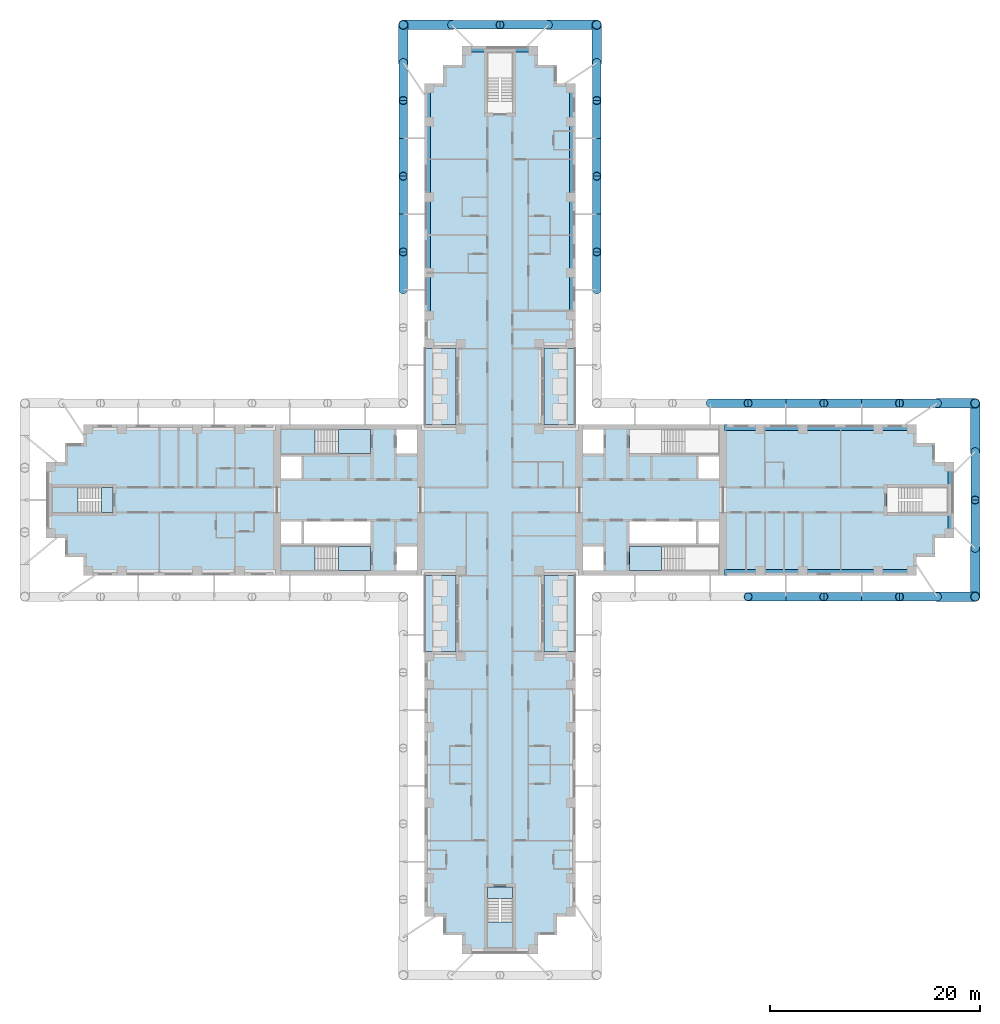
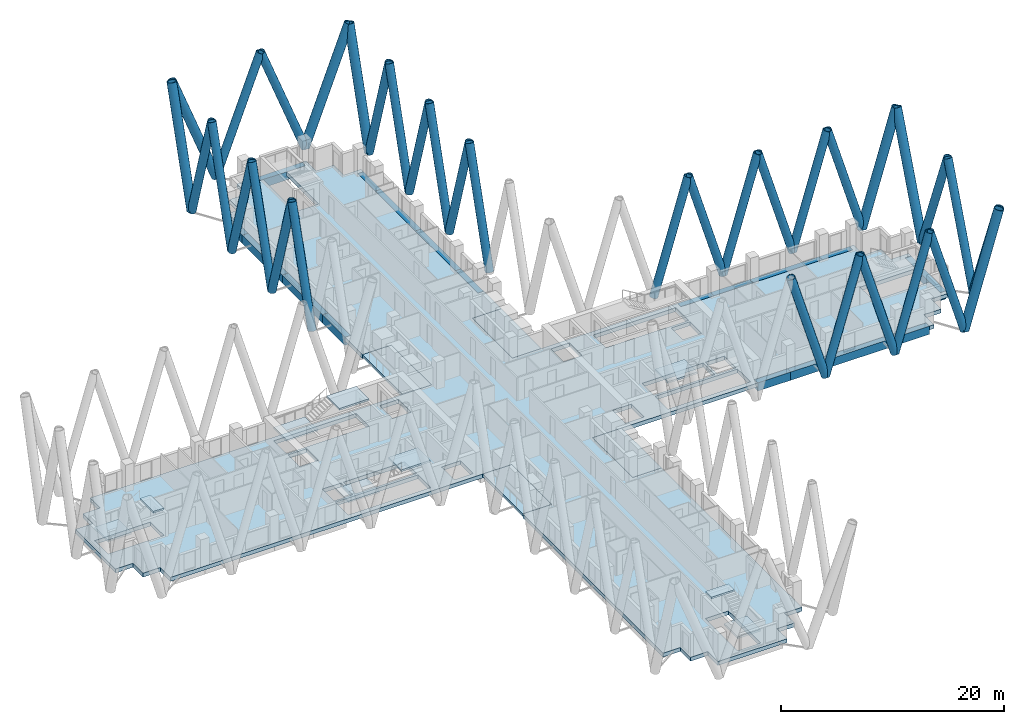
# One storey, part 2 of 16: 35 members, 18 beams, 14 slabs, 5 elements without a shape of their own.
"""IFC4 building model written with IfcOpenShell, lengths in metres."""

from ifc_helpers import new_model, si_unit, direction, frame, origin, origin_2d, place, context, subcontext, project, spatial, polyline, rectangle, hollow_circle, outline, extrude, material, layer, layer_set, material_profile, profile_set, type_object, element, aggregate, save


model = new_model("IFC4")

# Units and contexts
model_context = context("Model", 3, precision=1e-05, world=origin(), true_north=direction((0.0, 1.0)))
body_context = subcontext(model_context, "Body", "Model", "MODEL_VIEW")
ifc_project = project(units=[si_unit("LENGTHUNIT", "METRE"), si_unit("AREAUNIT", "SQUARE_METRE"), si_unit("VOLUMEUNIT", "CUBIC_METRE"), si_unit("PLANEANGLEUNIT", "RADIAN"), si_unit("MASSUNIT", "GRAM", prefix="KILO")], contexts=[model_context])

# Site, building, storey
site_placement = place(None, origin())
site = spatial("IfcSite", under=ifc_project, at=site_placement, CompositionType="ELEMENT")
building_placement = place(site_placement, origin())
building = spatial("IfcBuilding", under=site, at=building_placement, Name="Fustian Cross Tower", CompositionType="ELEMENT")
storey_placement = place(building_placement, frame((0.0, 0.0, 44.699951171875)))
storey = spatial("IfcBuildingStorey", under=building, at=storey_placement, Name="L13", CompositionType="ELEMENT", Elevation=44.699951171875)

# Members
ifc_material_1 = material(Name="Steel S355", Category="steel")
ifc_material_profile_1 = material_profile(ifc_material_1, hollow_circle(Radius=0.406494140625, WallThickness=0.0400390625, at=origin_2d()), Name="CHS 813x40")
ifc_profile_set_1 = profile_set([ifc_material_profile_1], Name="Steel S355")
member_type_1 = type_object("IfcMemberType", Name="DIAGRID DIAGONAL CHS 813x40", PredefinedType="BRACE", material=ifc_profile_set_1)
for number, where, z_axis, x_axis, name in (
    (1, (27.199951171875, -9.199951171875, 0.0), (-0.287337158709, 0.0, 0.957829503213), (0.0, -1.0, 0.0), "Diagrid diagonal E-S 05"),
    (2, (27.199951171875, -9.199951171875, 0.0), (0.287355036744, 0.0, 0.957824139839), (0.0, 1.0, 0.0), "Diagrid diagonal E-S 06"),
    (3, (34.39990234375, -9.199951171875, 0.0), (-0.287337158709, 0.0, 0.957829503213), (0.0, -1.0, 0.0), "Diagrid diagonal E-S 07"),
    (4, (34.39990234375, -9.199951171875, 0.0), (0.287355036744, 0.0, 0.957824139839), (0.0, 1.0, 0.0), "Diagrid diagonal E-S 08"),
    (5, (41.60009765625, -9.199951171875, 0.0), (-0.287355036744, 0.0, 0.957824139839), (0.0, -1.0, 0.0), "Diagrid diagonal E-S 09"),
):
    element("IfcMember", number, at=place(storey_placement, frame(where, z_axis=z_axis, x_axis=x_axis)), inside=storey, type_object=member_type_1, Name=name, PredefinedType="BRACE", context=body_context, shape_type="SweptSolid", body=[
        extrude(hollow_circle(Radius=0.406494140625, WallThickness=0.0400390625, at=origin_2d()), origin(), (0.0, 0.0, 1.0), 12.5283203125),
    ])
for number, where, z_axis, x_axis, name in (
    (6, (45.199951171875, -4.60009765625, 0.0), (0.0, 0.3579426369, 0.933743577589), (-1.0, 0.0, 0.0), "Diagrid diagonal E-end 02"),
    (7, (45.199951171875, 4.60009765625, 0.0), (0.0, -0.3579426369, 0.933743577589), (1.0, 0.0, 0.0), "Diagrid diagonal E-end 03"),
):
    element("IfcMember", number, at=place(storey_placement, frame(where, z_axis=z_axis, x_axis=x_axis)), inside=storey, type_object=member_type_1, Name=name, PredefinedType="BRACE", context=body_context, shape_type="SweptSolid", body=[
        extrude(hollow_circle(Radius=0.406494140625, WallThickness=0.0400390625, at=origin_2d()), origin(), (0.0, 0.0, 1.0), 12.8515625),
    ])
for number, where, z_axis, x_axis, name in (
    (8, (41.60009765625, 9.199951171875, 0.0), (-0.287355036744, 0.0, 0.957824139839), (0.0, -1.0, 0.0), "Diagrid diagonal E-N 02"),
    (9, (34.39990234375, 9.199951171875, 0.0), (0.287355036744, 0.0, 0.957824139839), (0.0, 1.0, 0.0), "Diagrid diagonal E-N 03"),
    (10, (34.39990234375, 9.199951171875, 0.0), (-0.287337158709, 0.0, 0.957829503213), (0.0, -1.0, 0.0), "Diagrid diagonal E-N 04"),
    (11, (27.199951171875, 9.199951171875, 0.0), (0.287355036744, 0.0, 0.957824139839), (0.0, 1.0, 0.0), "Diagrid diagonal E-N 05"),
    (12, (27.199951171875, 9.199951171875, 0.0), (-0.287337158709, 0.0, 0.957829503213), (0.0, -1.0, 0.0), "Diagrid diagonal E-N 06"),
    (13, (20.0, 9.199951171875, 0.0), (0.287355036744, 0.0, 0.957824139839), (0.0, 1.0, 0.0), "Diagrid diagonal E-N 07"),
    (14, (9.199951171875, 20.0, 0.0), (0.0, 0.287355036744, 0.957824139839), (-1.0, 0.0, 0.0), "Diagrid diagonal N-E 04"),
    (15, (9.199951171875, 27.199951171875, 0.0), (0.0, -0.287337158709, 0.957829503213), (1.0, 0.0, 0.0), "Diagrid diagonal N-E 05"),
    (16, (9.199951171875, 27.199951171875, 0.0), (0.0, 0.287355036744, 0.957824139839), (-1.0, 0.0, 0.0), "Diagrid diagonal N-E 06"),
    (17, (9.199951171875, 34.39990234375, 0.0), (0.0, -0.287337158709, 0.957829503213), (1.0, 0.0, 0.0), "Diagrid diagonal N-E 07"),
    (18, (9.199951171875, 34.39990234375, 0.0), (0.0, 0.287355036744, 0.957824139839), (-1.0, 0.0, 0.0), "Diagrid diagonal N-E 08"),
    (19, (9.199951171875, 41.60009765625, 0.0), (0.0, -0.287355036744, 0.957824139839), (1.0, 0.0, 0.0), "Diagrid diagonal N-E 09"),
):
    element("IfcMember", number, at=place(storey_placement, frame(where, z_axis=z_axis, x_axis=x_axis)), inside=storey, type_object=member_type_1, Name=name, PredefinedType="BRACE", context=body_context, shape_type="SweptSolid", body=[
        extrude(hollow_circle(Radius=0.406494140625, WallThickness=0.0400390625, at=origin_2d()), origin(), (0.0, 0.0, 1.0), 12.5283203125),
    ])
for number, where, z_axis, x_axis, name in (
    (20, (4.60009765625, 45.199951171875, 0.0), (-0.3579426369, 0.0, 0.933743577589), (0.0, -1.0, 0.0), "Diagrid diagonal N-end 02"),
    (21, (-4.60009765625, 45.199951171875, 0.0), (0.3579426369, 0.0, 0.933743577589), (0.0, 1.0, 0.0), "Diagrid diagonal N-end 03"),
):
    element("IfcMember", number, at=place(storey_placement, frame(where, z_axis=z_axis, x_axis=x_axis)), inside=storey, type_object=member_type_1, Name=name, PredefinedType="BRACE", context=body_context, shape_type="SweptSolid", body=[
        extrude(hollow_circle(Radius=0.406494140625, WallThickness=0.0400390625, at=origin_2d()), origin(), (0.0, 0.0, 1.0), 12.8515625),
    ])
for number, where, z_axis, x_axis, name in (
    (22, (-9.199951171875, 41.60009765625, 0.0), (0.0, -0.287355036744, 0.957824139839), (1.0, 0.0, 0.0), "Diagrid diagonal N-W 02"),
    (23, (-9.199951171875, 34.39990234375, 0.0), (0.0, 0.287355036744, 0.957824139839), (-1.0, 0.0, 0.0), "Diagrid diagonal N-W 03"),
    (24, (-9.199951171875, 34.39990234375, 0.0), (0.0, -0.287337158709, 0.957829503213), (1.0, 0.0, 0.0), "Diagrid diagonal N-W 04"),
    (25, (-9.199951171875, 27.199951171875, 0.0), (0.0, 0.287355036744, 0.957824139839), (-1.0, 0.0, 0.0), "Diagrid diagonal N-W 05"),
    (26, (-9.199951171875, 27.199951171875, 0.0), (0.0, -0.287337158709, 0.957829503213), (1.0, 0.0, 0.0), "Diagrid diagonal N-W 06"),
    (27, (-9.199951171875, 20.0, 0.0), (0.0, 0.287355036744, 0.957824139839), (-1.0, 0.0, 0.0), "Diagrid diagonal N-W 07"),
):
    element("IfcMember", number, at=place(storey_placement, frame(where, z_axis=z_axis, x_axis=x_axis)), inside=storey, type_object=member_type_1, Name=name, PredefinedType="BRACE", context=body_context, shape_type="SweptSolid", body=[
        extrude(hollow_circle(Radius=0.406494140625, WallThickness=0.0400390625, at=origin_2d()), origin(), (0.0, 0.0, 1.0), 12.5283203125),
    ])
ifc_material_2 = material(Name="Steel S355", Category="steel")
ifc_material_profile_2 = material_profile(ifc_material_2, hollow_circle(Radius=0.457275390625, WallThickness=0.050048828125, at=origin_2d()), Name="CHS 914x50")
ifc_profile_set_2 = profile_set([ifc_material_profile_2], Name="Steel S355")
member_type_2 = type_object("IfcMemberType", Name="DIAGRID DIAGONAL CHS 914x50", PredefinedType="BRACE", material=ifc_profile_set_2)
member_1_placement = place(storey_placement, frame((41.60009765625, -9.199951171875, 0.0), z_axis=(0.287337158709, 0.0, 0.957829503213), x_axis=(0.0, 1.0, 0.0)))
element("IfcMember", 28, at=member_1_placement, inside=storey, type_object=member_type_2, Name="Diagrid diagonal E-S 10", PredefinedType="BRACE", context=body_context, shape_type="SweptSolid", body=[
    extrude(hollow_circle(Radius=0.457275390625, WallThickness=0.050048828125, at=origin_2d()), origin(), (0.0, 0.0, 1.0), 12.5283203125),
])
for number, where, z_axis, x_axis, name in (
    (29, (45.199951171875, -4.60009765625, 0.0), (0.0, -0.357926073629, 0.933749926809), (1.0, 0.0, 0.0), "Diagrid diagonal E-end 01"),
    (30, (45.199951171875, 4.60009765625, 0.0), (0.0, 0.357926073629, 0.933749926809), (-1.0, 0.0, 0.0), "Diagrid diagonal E-end 04"),
):
    element("IfcMember", number, at=place(storey_placement, frame(where, z_axis=z_axis, x_axis=x_axis)), inside=storey, type_object=member_type_2, Name=name, PredefinedType="BRACE", context=body_context, shape_type="SweptSolid", body=[
        extrude(hollow_circle(Radius=0.457275390625, WallThickness=0.050048828125, at=origin_2d()), origin(), (0.0, 0.0, 1.0), 12.851318359375),
    ])
for number, where, z_axis, x_axis, name in (
    (31, (41.60009765625, 9.199951171875, 0.0), (0.287337158709, 0.0, 0.957829503213), (0.0, 1.0, 0.0), "Diagrid diagonal E-N 01"),
    (32, (9.199951171875, 41.60009765625, 0.0), (0.0, 0.287337158709, 0.957829503213), (-1.0, 0.0, 0.0), "Diagrid diagonal N-E 10"),
):
    element("IfcMember", number, at=place(storey_placement, frame(where, z_axis=z_axis, x_axis=x_axis)), inside=storey, type_object=member_type_2, Name=name, PredefinedType="BRACE", context=body_context, shape_type="SweptSolid", body=[
        extrude(hollow_circle(Radius=0.457275390625, WallThickness=0.050048828125, at=origin_2d()), origin(), (0.0, 0.0, 1.0), 12.5283203125),
    ])
for number, where, z_axis, x_axis, name in (
    (33, (4.60009765625, 45.199951171875, 0.0), (0.357926073629, 0.0, 0.933749926809), (0.0, 1.0, 0.0), "Diagrid diagonal N-end 01"),
    (34, (-4.60009765625, 45.199951171875, 0.0), (-0.357926073629, 0.0, 0.933749926809), (0.0, -1.0, 0.0), "Diagrid diagonal N-end 04"),
):
    element("IfcMember", number, at=place(storey_placement, frame(where, z_axis=z_axis, x_axis=x_axis)), inside=storey, type_object=member_type_2, Name=name, PredefinedType="BRACE", context=body_context, shape_type="SweptSolid", body=[
        extrude(hollow_circle(Radius=0.457275390625, WallThickness=0.050048828125, at=origin_2d()), origin(), (0.0, 0.0, 1.0), 12.851318359375),
    ])
member_2_placement = place(storey_placement, frame((-9.199951171875, 41.60009765625, 0.0), z_axis=(0.0, 0.287337158709, 0.957829503213), x_axis=(-1.0, 0.0, 0.0)))
element("IfcMember", 35, at=member_2_placement, inside=storey, type_object=member_type_2, Name="Diagrid diagonal N-W 01", PredefinedType="BRACE", context=body_context, shape_type="SweptSolid", body=[
    extrude(hollow_circle(Radius=0.457275390625, WallThickness=0.050048828125, at=origin_2d()), origin(), (0.0, 0.0, 1.0), 12.5283203125),
])

# Beams
ifc_material_3 = material(Name="Concrete C50/60", Category="concrete")
ifc_material_profile_3 = material_profile(ifc_material_3, rectangle(XDim=0.60009765625, YDim=0.89990234375, at=origin_2d()), Name="RC 600x900")
ifc_profile_set_3 = profile_set([ifc_material_profile_3], Name="Concrete C50/60")
beam_type = type_object("IfcBeamType", Name="EDGE BEAM RC 600x900 C50/60", PredefinedType="SPANDREL", material=ifc_profile_set_3)
beam_1_placement = place(storey_placement, frame((21.35009765625, -6.89990234375, -0.449951171875), z_axis=(1.0, 0.0, 0.0), x_axis=(0.0, 1.0, 0.0)))
element("IfcBeam", 36, at=beam_1_placement, inside=storey, type_object=beam_type, Name="EDGE BEAM L13-01", PredefinedType="SPANDREL", context=body_context, shape_type="SweptSolid", body=[
    extrude(rectangle(XDim=0.60009765625, YDim=0.89990234375, at=origin_2d()), origin(), (0.0, 0.0, 1.0), 3.39990234375),
])
beam_2_placement = place(storey_placement, frame((24.75, -6.89990234375, -0.449951171875), z_axis=(1.0, 0.0, 0.0), x_axis=(0.0, 1.0, 0.0)))
element("IfcBeam", 37, at=beam_2_placement, inside=storey, type_object=beam_type, Name="EDGE BEAM L13-02", PredefinedType="SPANDREL", context=body_context, shape_type="SweptSolid", body=[
    extrude(rectangle(XDim=0.60009765625, YDim=0.89990234375, at=origin_2d()), origin(), (0.0, 0.0, 1.0), 4.050048828125),
])
beam_3_placement = place(storey_placement, frame((28.800048828125, -6.89990234375, -0.449951171875), z_axis=(1.0, 0.0, 0.0), x_axis=(0.0, 1.0, 0.0)))
element("IfcBeam", 38, at=beam_3_placement, inside=storey, type_object=beam_type, Name="EDGE BEAM L13-03", PredefinedType="SPANDREL", context=body_context, shape_type="SweptSolid", body=[
    extrude(rectangle(XDim=0.60009765625, YDim=0.89990234375, at=origin_2d()), origin(), (0.0, 0.0, 1.0), 7.199951171875),
])
beam_4_placement = place(storey_placement, frame((36.0, -6.89990234375, -0.449951171875), z_axis=(1.0, 0.0, 0.0), x_axis=(0.0, 1.0, 0.0)))
element("IfcBeam", 39, at=beam_4_placement, inside=storey, type_object=beam_type, Name="EDGE BEAM L13-04", PredefinedType="SPANDREL", context=body_context, shape_type="SweptSolid", body=[
    extrude(rectangle(XDim=0.60009765625, YDim=0.89990234375, at=origin_2d()), origin(), (0.0, 0.0, 1.0), 3.14990234375),
])
beam_5_placement = place(storey_placement, frame((42.89990234375, -3.14990234375, -0.449951171875), z_axis=(0.0, 1.0, 0.0), x_axis=(-1.0, 0.0, 0.0)))
element("IfcBeam", 40, at=beam_5_placement, inside=storey, type_object=beam_type, Name="EDGE BEAM L13-05", PredefinedType="SPANDREL", context=body_context, shape_type="SweptSolid", body=[
    extrude(rectangle(XDim=0.60009765625, YDim=0.89990234375, at=origin_2d()), origin(), (0.0, 0.0, 1.0), 6.2998046875),
])
beam_6_placement = place(storey_placement, frame((39.14990234375, 6.89990234375, -0.449951171875), z_axis=(-1.0, 0.0, 0.0), x_axis=(0.0, -1.0, 0.0)))
element("IfcBeam", 41, at=beam_6_placement, inside=storey, type_object=beam_type, Name="EDGE BEAM L13-06", PredefinedType="SPANDREL", context=body_context, shape_type="SweptSolid", body=[
    extrude(rectangle(XDim=0.60009765625, YDim=0.89990234375, at=origin_2d()), origin(), (0.0, 0.0, 1.0), 3.14990234375),
])
beam_7_placement = place(storey_placement, frame((36.0, 6.89990234375, -0.449951171875), z_axis=(-1.0, 0.0, 0.0), x_axis=(0.0, -1.0, 0.0)))
element("IfcBeam", 42, at=beam_7_placement, inside=storey, type_object=beam_type, Name="EDGE BEAM L13-07", PredefinedType="SPANDREL", context=body_context, shape_type="SweptSolid", body=[
    extrude(rectangle(XDim=0.60009765625, YDim=0.89990234375, at=origin_2d()), origin(), (0.0, 0.0, 1.0), 7.199951171875),
])
beam_8_placement = place(storey_placement, frame((28.800048828125, 6.89990234375, -0.449951171875), z_axis=(-1.0, 0.0, 0.0), x_axis=(0.0, -1.0, 0.0)))
element("IfcBeam", 43, at=beam_8_placement, inside=storey, type_object=beam_type, Name="EDGE BEAM L13-08", PredefinedType="SPANDREL", context=body_context, shape_type="SweptSolid", body=[
    extrude(rectangle(XDim=0.60009765625, YDim=0.89990234375, at=origin_2d()), origin(), (0.0, 0.0, 1.0), 4.050048828125),
])
beam_9_placement = place(storey_placement, frame((24.75, 6.89990234375, -0.449951171875), z_axis=(-1.0, 0.0, 0.0), x_axis=(0.0, -1.0, 0.0)))
element("IfcBeam", 44, at=beam_9_placement, inside=storey, type_object=beam_type, Name="EDGE BEAM L13-09", PredefinedType="SPANDREL", context=body_context, shape_type="SweptSolid", body=[
    extrude(rectangle(XDim=0.60009765625, YDim=0.89990234375, at=origin_2d()), origin(), (0.0, 0.0, 1.0), 3.39990234375),
])
beam_10_placement = place(storey_placement, frame((6.89990234375, 17.550048828125, -0.449951171875), z_axis=(0.0, 1.0, 0.0), x_axis=(-1.0, 0.0, 0.0)))
element("IfcBeam", 45, at=beam_10_placement, inside=storey, type_object=beam_type, Name="EDGE BEAM L13-14", PredefinedType="SPANDREL", context=body_context, shape_type="SweptSolid", body=[
    extrude(rectangle(XDim=0.60009765625, YDim=0.89990234375, at=origin_2d()), origin(), (0.0, 0.0, 1.0), 4.050048828125),
])
for number, where, z_axis, x_axis, name in (
    (46, (6.89990234375, 21.60009765625, -0.449951171875), (0.0, 1.0, 0.0), (-1.0, 0.0, 0.0), "EDGE BEAM L13-15"),
    (47, (6.89990234375, 28.800048828125, -0.449951171875), (0.0, 1.0, 0.0), (-1.0, 0.0, 0.0), "EDGE BEAM L13-16"),
):
    element("IfcBeam", number, at=place(storey_placement, frame(where, z_axis=z_axis, x_axis=x_axis)), inside=storey, type_object=beam_type, Name=name, PredefinedType="SPANDREL", context=body_context, shape_type="SweptSolid", body=[
        extrude(rectangle(XDim=0.60009765625, YDim=0.89990234375, at=origin_2d()), origin(), (0.0, 0.0, 1.0), 7.199951171875),
    ])
beam_11_placement = place(storey_placement, frame((6.89990234375, 36.0, -0.449951171875), z_axis=(0.0, 1.0, 0.0), x_axis=(-1.0, 0.0, 0.0)))
element("IfcBeam", 48, at=beam_11_placement, inside=storey, type_object=beam_type, Name="EDGE BEAM L13-17", PredefinedType="SPANDREL", context=body_context, shape_type="SweptSolid", body=[
    extrude(rectangle(XDim=0.60009765625, YDim=0.89990234375, at=origin_2d()), origin(), (0.0, 0.0, 1.0), 3.14990234375),
])
beam_12_placement = place(storey_placement, frame((3.14990234375, 42.89990234375, -0.449951171875), z_axis=(-1.0, 0.0, 0.0), x_axis=(0.0, -1.0, 0.0)))
element("IfcBeam", 49, at=beam_12_placement, inside=storey, type_object=beam_type, Name="EDGE BEAM L13-18", PredefinedType="SPANDREL", context=body_context, shape_type="SweptSolid", body=[
    extrude(rectangle(XDim=0.60009765625, YDim=0.89990234375, at=origin_2d()), origin(), (0.0, 0.0, 1.0), 6.2998046875),
])
beam_13_placement = place(storey_placement, frame((-6.89990234375, 39.14990234375, -0.449951171875), z_axis=(0.0, -1.0, 0.0), x_axis=(1.0, 0.0, 0.0)))
element("IfcBeam", 50, at=beam_13_placement, inside=storey, type_object=beam_type, Name="EDGE BEAM L13-19", PredefinedType="SPANDREL", context=body_context, shape_type="SweptSolid", body=[
    extrude(rectangle(XDim=0.60009765625, YDim=0.89990234375, at=origin_2d()), origin(), (0.0, 0.0, 1.0), 3.14990234375),
])
for number, where, z_axis, x_axis, name in (
    (51, (-6.89990234375, 36.0, -0.449951171875), (0.0, -1.0, 0.0), (1.0, 0.0, 0.0), "EDGE BEAM L13-20"),
    (52, (-6.89990234375, 28.800048828125, -0.449951171875), (0.0, -1.0, 0.0), (1.0, 0.0, 0.0), "EDGE BEAM L13-21"),
):
    element("IfcBeam", number, at=place(storey_placement, frame(where, z_axis=z_axis, x_axis=x_axis)), inside=storey, type_object=beam_type, Name=name, PredefinedType="SPANDREL", context=body_context, shape_type="SweptSolid", body=[
        extrude(rectangle(XDim=0.60009765625, YDim=0.89990234375, at=origin_2d()), origin(), (0.0, 0.0, 1.0), 7.199951171875),
    ])
beam_14_placement = place(storey_placement, frame((-6.89990234375, 21.60009765625, -0.449951171875), z_axis=(0.0, -1.0, 0.0), x_axis=(1.0, 0.0, 0.0)))
element("IfcBeam", 53, at=beam_14_placement, inside=storey, type_object=beam_type, Name="EDGE BEAM L13-22", PredefinedType="SPANDREL", context=body_context, shape_type="SweptSolid", body=[
    extrude(rectangle(XDim=0.60009765625, YDim=0.89990234375, at=origin_2d()), origin(), (0.0, 0.0, 1.0), 4.050048828125),
])

# Slabs
ifc_material_4 = material(Name="Concrete C40/50", Category="concrete")
ifc_layer_1 = layer(ifc_material_4, 0.300048828125)
ifc_layer_set_1 = layer_set([ifc_layer_1], Name="Concrete C40/50")
slab_type_1 = type_object("IfcSlabType", Name="BS1 BALCONY SLAB 300", PredefinedType="FLOOR", material=ifc_layer_set_1)
slab_1_placement = place(storey_placement, frame((0.0, 0.0, -0.300048828125)))
element("IfcSlab", 54, at=slab_1_placement, inside=storey, type_object=slab_type_1, Name="Balcony slab", PredefinedType="FLOOR", context=body_context, shape_type="SweptSolid", body=[
    extrude(outline(polyline([(4.199951171875, 7.199951171875), (7.199951171875, 7.199951171875), (7.199951171875, 14.39990234375), (4.199951171875, 14.39990234375), (4.199951171875, 7.199951171875)])), origin(), (0.0, 0.0, 1.0), 0.300048828125),
])
slab_2_placement = place(storey_placement, frame((0.0, 0.0, -0.300048828125)))
element("IfcSlab", 55, at=slab_2_placement, inside=storey, type_object=slab_type_1, Name="Balcony slab", PredefinedType="FLOOR", context=body_context, shape_type="SweptSolid", body=[
    extrude(outline(polyline([(-7.199951171875, 7.199951171875), (-4.199951171875, 7.199951171875), (-4.199951171875, 14.39990234375), (-7.199951171875, 14.39990234375), (-7.199951171875, 7.199951171875)])), origin(), (0.0, 0.0, 1.0), 0.300048828125),
])
slab_3_placement = place(storey_placement, frame((0.0, 0.0, -0.300048828125)))
element("IfcSlab", 56, at=slab_3_placement, inside=storey, type_object=slab_type_1, Name="Balcony slab", PredefinedType="FLOOR", context=body_context, shape_type="SweptSolid", body=[
    extrude(outline(polyline([(4.199951171875, -14.39990234375), (7.199951171875, -14.39990234375), (7.199951171875, -7.199951171875), (4.199951171875, -7.199951171875), (4.199951171875, -14.39990234375)])), origin(), (0.0, 0.0, 1.0), 0.300048828125),
])
slab_4_placement = place(storey_placement, frame((0.0, 0.0, -0.300048828125)))
element("IfcSlab", 57, at=slab_4_placement, inside=storey, type_object=slab_type_1, Name="Balcony slab", PredefinedType="FLOOR", context=body_context, shape_type="SweptSolid", body=[
    extrude(outline(polyline([(-7.199951171875, -14.39990234375), (-4.199951171875, -14.39990234375), (-4.199951171875, -7.199951171875), (-7.199951171875, -7.199951171875), (-7.199951171875, -14.39990234375)])), origin(), (0.0, 0.0, 1.0), 0.300048828125),
])
ifc_material_5 = material(Name="Concrete C40/50", Category="concrete")
ifc_layer_2 = layer(ifc_material_5, 0.425048828125)
ifc_layer_set_2 = layer_set([ifc_layer_2], Name="Concrete C40/50")
slab_type_2 = type_object("IfcSlabType", Name="FLAT SLAB 425", PredefinedType="FLOOR", material=ifc_layer_set_2)
slab_5_placement = place(storey_placement, frame((0.0, 0.0, -0.425048828125)))
element("IfcSlab", 58, at=slab_5_placement, inside=storey, type_object=slab_type_2, Name="FLOOR SLAB L13-1", PredefinedType="FLOOR", context=body_context, shape_type="SweptSolid", body=[
    extrude(outline(polyline([(-4.199951171875, -7.199951171875), (-39.60009765625, -7.199951171875), (-39.60009765625, -5.39990234375), (-41.39990234375, -5.39990234375), (-41.39990234375, -3.60009765625), (-43.199951171875, -3.60009765625), (-43.199951171875, 3.60009765625), (-41.39990234375, 3.60009765625), (-41.39990234375, 5.39990234375), (-39.60009765625, 5.39990234375), (-39.60009765625, 7.199951171875), (-4.199951171875, 7.199951171875), (-4.199951171875, 14.39990234375), (-7.199951171875, 14.39990234375), (-7.199951171875, 39.60009765625), (-5.39990234375, 39.60009765625), (-5.39990234375, 41.39990234375), (-3.60009765625, 41.39990234375), (-3.60009765625, 43.199951171875), (3.60009765625, 43.199951171875), (3.60009765625, 41.39990234375), (5.39990234375, 41.39990234375), (5.39990234375, 39.60009765625), (7.199951171875, 39.60009765625), (7.199951171875, 14.39990234375), (4.199951171875, 14.39990234375), (4.199951171875, 7.199951171875), (39.60009765625, 7.199951171875), (39.60009765625, 5.39990234375), (41.39990234375, 5.39990234375), (41.39990234375, 3.60009765625), (43.199951171875, 3.60009765625), (43.199951171875, -3.60009765625), (41.39990234375, -3.60009765625), (41.39990234375, -5.39990234375), (39.60009765625, -5.39990234375), (39.60009765625, -7.199951171875), (4.199951171875, -7.199951171875), (4.199951171875, -14.39990234375), (7.199951171875, -14.39990234375), (7.199951171875, -39.60009765625), (5.39990234375, -39.60009765625), (5.39990234375, -41.39990234375), (3.60009765625, -41.39990234375), (3.60009765625, -43.199951171875), (-3.60009765625, -43.199951171875), (-3.60009765625, -41.39990234375), (-5.39990234375, -41.39990234375), (-5.39990234375, -39.60009765625), (-7.199951171875, -39.60009765625), (-7.199951171875, -14.39990234375), (-4.199951171875, -14.39990234375), (-4.199951171875, -7.199951171875)]), holes=[polyline([(18.89990234375, -2.050048828125), (18.89990234375, -4.14990234375), (20.85009765625, -4.14990234375), (20.85009765625, -2.050048828125), (18.89990234375, -2.050048828125)]), polyline([(20.85009765625, 4.14990234375), (18.89990234375, 4.14990234375), (18.89990234375, 2.050048828125), (20.85009765625, 2.050048828125), (20.85009765625, 4.14990234375)]), polyline([(9.85009765625, 4.39990234375), (9.85009765625, 6.699951171875), (7.89990234375, 6.699951171875), (7.89990234375, 4.39990234375), (9.85009765625, 4.39990234375)]), polyline([(7.89990234375, -6.699951171875), (9.85009765625, -6.699951171875), (9.85009765625, -4.39990234375), (7.89990234375, -4.39990234375), (7.89990234375, -6.699951171875)]), polyline([(-20.85009765625, -2.050048828125), (-20.85009765625, -4.14990234375), (-18.89990234375, -4.14990234375), (-18.89990234375, -2.050048828125), (-20.85009765625, -2.050048828125)]), polyline([(-18.89990234375, 4.14990234375), (-20.85009765625, 4.14990234375), (-20.85009765625, 2.050048828125), (-18.89990234375, 2.050048828125), (-18.89990234375, 4.14990234375)]), polyline([(-7.89990234375, 4.39990234375), (-7.89990234375, 6.699951171875), (-9.85009765625, 6.699951171875), (-9.85009765625, 4.39990234375), (-7.89990234375, 4.39990234375)]), polyline([(-9.85009765625, -6.699951171875), (-7.89990234375, -6.699951171875), (-7.89990234375, -4.39990234375), (-9.85009765625, -4.39990234375), (-9.85009765625, -6.699951171875)]), polyline([(12.300048828125, -2.050048828125), (12.300048828125, -4.14990234375), (18.64990234375, -4.14990234375), (18.64990234375, -2.050048828125), (12.300048828125, -2.050048828125)]), polyline([(-12.300048828125, -2.050048828125), (-18.64990234375, -2.050048828125), (-18.64990234375, -4.14990234375), (-12.300048828125, -4.14990234375), (-12.300048828125, -2.050048828125)]), polyline([(20.85009765625, 4.39990234375), (20.85009765625, 6.699951171875), (12.300048828125, 6.699951171875), (12.300048828125, 4.39990234375), (20.85009765625, 4.39990234375)]), polyline([(12.300048828125, -6.699951171875), (20.85009765625, -6.699951171875), (20.85009765625, -4.39990234375), (12.300048828125, -4.39990234375), (12.300048828125, -6.699951171875)]), polyline([(-20.85009765625, 6.699951171875), (-20.85009765625, 4.39990234375), (-12.300048828125, 4.39990234375), (-12.300048828125, 6.699951171875), (-20.85009765625, 6.699951171875)]), polyline([(-12.300048828125, -4.39990234375), (-20.85009765625, -4.39990234375), (-20.85009765625, -6.699951171875), (-12.300048828125, -6.699951171875), (-12.300048828125, -4.39990234375)]), polyline([(1.199951171875, 36.800048828125), (1.199951171875, 42.60009765625), (-1.199951171875, 42.60009765625), (-1.199951171875, 36.800048828125), (1.199951171875, 36.800048828125)]), polyline([(-1.199951171875, -42.60009765625), (1.199951171875, -42.60009765625), (1.199951171875, -36.800048828125), (-1.199951171875, -36.800048828125), (-1.199951171875, -42.60009765625)]), polyline([(36.800048828125, 1.199951171875), (36.800048828125, -1.199951171875), (42.60009765625, -1.199951171875), (42.60009765625, 1.199951171875), (36.800048828125, 1.199951171875)]), polyline([(-36.800048828125, 1.199951171875), (-42.60009765625, 1.199951171875), (-42.60009765625, -1.199951171875), (-36.800048828125, -1.199951171875), (-36.800048828125, 1.199951171875)])]), origin(), (0.0, 0.0, 1.0), 0.425048828125),
])

# Stair, slab
ifc_material_6 = material(Name="Concrete C50/60", Category="concrete")
stair_type_1 = type_object("IfcStairType", Name="STAIR 1150 HALF TURN", PredefinedType="HALF_TURN_STAIR", material=ifc_material_6)
stair_1_placement = place(storey_placement, origin())
stair_1 = element("IfcStair", 59, at=stair_1_placement, inside=storey, type_object=stair_type_1, Name="Stair ST2", PredefinedType="HALF_TURN_STAIR")
ifc_material_7 = material(Name="Concrete C50/60", Category="concrete")
ifc_layer_3 = layer(ifc_material_7, 0.199951171875)
ifc_layer_set_3 = layer_set([ifc_layer_3], Name="Concrete C50/60")
slab_type_3 = type_object("IfcSlabType", Name="STAIR LANDING", PredefinedType="LANDING", material=ifc_layer_set_3)
slab_6_placement = place(storey_placement, frame((0.0, 0.0, 2.800048828125)))
slab_6 = element("IfcSlab", 60, at=slab_6_placement, type_object=slab_type_3, Name="ST2 landing 2", PredefinedType="LANDING", context=body_context, shape_type="SweptSolid", body=[
    extrude(outline(polyline([(12.300048828125, -4.39990234375), (15.35009765625, -4.39990234375), (15.35009765625, -6.699951171875), (12.300048828125, -6.699951171875), (12.300048828125, -4.39990234375)])), origin(), (0.0, 0.0, 1.0), 0.199951171875),
])
aggregate(stair_1, [slab_6])

# Stair, slabs
stair_2_placement = place(storey_placement, origin())
stair_2 = element("IfcStair", 61, at=stair_2_placement, inside=storey, type_object=stair_type_1, Name="Stair ST3", PredefinedType="HALF_TURN_STAIR")
slab_7_placement = place(storey_placement, frame((0.0, 0.0, 1.300048828125)))
slab_7 = element("IfcSlab", 62, at=slab_7_placement, type_object=slab_type_3, Name="ST3 landing 1", PredefinedType="LANDING", context=body_context, shape_type="SweptSolid", body=[
    extrude(outline(polyline([(-17.590087890625, 4.39990234375), (-20.85009765625, 4.39990234375), (-20.85009765625, 6.699951171875), (-17.590087890625, 6.699951171875), (-17.590087890625, 4.39990234375)])), origin(), (0.0, 0.0, 1.0), 0.199951171875),
])
slab_8_placement = place(storey_placement, frame((0.0, 0.0, 2.800048828125)))
slab_8 = element("IfcSlab", 63, at=slab_8_placement, type_object=slab_type_3, Name="ST3 landing 2", PredefinedType="LANDING", context=body_context, shape_type="SweptSolid", body=[
    extrude(outline(polyline([(-12.300048828125, 4.39990234375), (-15.35009765625, 4.39990234375), (-15.35009765625, 6.699951171875), (-12.300048828125, 6.699951171875), (-12.300048828125, 4.39990234375)])), origin(), (0.0, 0.0, 1.0), 0.199951171875),
])
aggregate(stair_2, [slab_7, slab_8])

stair_3_placement = place(storey_placement, origin())
stair_3 = element("IfcStair", 64, at=stair_3_placement, inside=storey, type_object=stair_type_1, Name="Stair ST4", PredefinedType="HALF_TURN_STAIR")
slab_9_placement = place(storey_placement, frame((0.0, 0.0, 1.300048828125)))
slab_9 = element("IfcSlab", 65, at=slab_9_placement, type_object=slab_type_3, Name="ST4 landing 1", PredefinedType="LANDING", context=body_context, shape_type="SweptSolid", body=[
    extrude(outline(polyline([(-17.590087890625, -4.39990234375), (-20.85009765625, -4.39990234375), (-20.85009765625, -6.699951171875), (-17.590087890625, -6.699951171875), (-17.590087890625, -4.39990234375)])), origin(), (0.0, 0.0, 1.0), 0.199951171875),
])
slab_10_placement = place(storey_placement, frame((0.0, 0.0, 2.800048828125)))
slab_10 = element("IfcSlab", 66, at=slab_10_placement, type_object=slab_type_3, Name="ST4 landing 2", PredefinedType="LANDING", context=body_context, shape_type="SweptSolid", body=[
    extrude(outline(polyline([(-12.300048828125, -4.39990234375), (-15.35009765625, -4.39990234375), (-15.35009765625, -6.699951171875), (-12.300048828125, -6.699951171875), (-12.300048828125, -4.39990234375)])), origin(), (0.0, 0.0, 1.0), 0.199951171875),
])
aggregate(stair_3, [slab_9, slab_10])

ifc_material_8 = material(Name="Concrete C50/60", Category="concrete")
stair_type_2 = type_object("IfcStairType", Name="STAIR 1100 HALF TURN", PredefinedType="HALF_TURN_STAIR", material=ifc_material_8)
stair_4_placement = place(storey_placement, origin())
stair_4 = element("IfcStair", 67, at=stair_4_placement, inside=storey, type_object=stair_type_2, Name="Stair ST6", PredefinedType="HALF_TURN_STAIR")
slab_11_placement = place(storey_placement, frame((0.0, 0.0, 1.300048828125)))
slab_11 = element("IfcSlab", 68, at=slab_11_placement, type_object=slab_type_3, Name="ST6 landing 1", PredefinedType="LANDING", context=body_context, shape_type="SweptSolid", body=[
    extrude(outline(polyline([(-1.199951171875, -40.139892578125), (-1.199951171875, -42.60009765625), (1.199951171875, -42.60009765625), (1.199951171875, -40.139892578125), (-1.199951171875, -40.139892578125)])), origin(), (0.0, 0.0, 1.0), 0.199951171875),
])
slab_12_placement = place(storey_placement, frame((0.0, 0.0, 2.800048828125)))
slab_12 = element("IfcSlab", 69, at=slab_12_placement, type_object=slab_type_3, Name="ST6 landing 2", PredefinedType="LANDING", context=body_context, shape_type="SweptSolid", body=[
    extrude(outline(polyline([(-1.199951171875, -36.800048828125), (-1.199951171875, -37.89990234375), (1.199951171875, -37.89990234375), (1.199951171875, -36.800048828125), (-1.199951171875, -36.800048828125)])), origin(), (0.0, 0.0, 1.0), 0.199951171875),
])
aggregate(stair_4, [slab_11, slab_12])

stair_5_placement = place(storey_placement, origin())
stair_5 = element("IfcStair", 70, at=stair_5_placement, inside=storey, type_object=stair_type_2, Name="Stair ST9", PredefinedType="HALF_TURN_STAIR")
slab_13_placement = place(storey_placement, frame((0.0, 0.0, 1.300048828125)))
slab_13 = element("IfcSlab", 71, at=slab_13_placement, type_object=slab_type_3, Name="ST9 landing 1", PredefinedType="LANDING", context=body_context, shape_type="SweptSolid", body=[
    extrude(outline(polyline([(-40.139892578125, -1.199951171875), (-42.60009765625, -1.199951171875), (-42.60009765625, 1.199951171875), (-40.139892578125, 1.199951171875), (-40.139892578125, -1.199951171875)])), origin(), (0.0, 0.0, 1.0), 0.199951171875),
])
slab_14_placement = place(storey_placement, frame((0.0, 0.0, 2.800048828125)))
slab_14 = element("IfcSlab", 72, at=slab_14_placement, type_object=slab_type_3, Name="ST9 landing 2", PredefinedType="LANDING", context=body_context, shape_type="SweptSolid", body=[
    extrude(outline(polyline([(-36.800048828125, -1.199951171875), (-37.89990234375, -1.199951171875), (-37.89990234375, 1.199951171875), (-36.800048828125, 1.199951171875), (-36.800048828125, -1.199951171875)])), origin(), (0.0, 0.0, 1.0), 0.199951171875),
])
aggregate(stair_5, [slab_13, slab_14])

save(model, "model.ifc")
